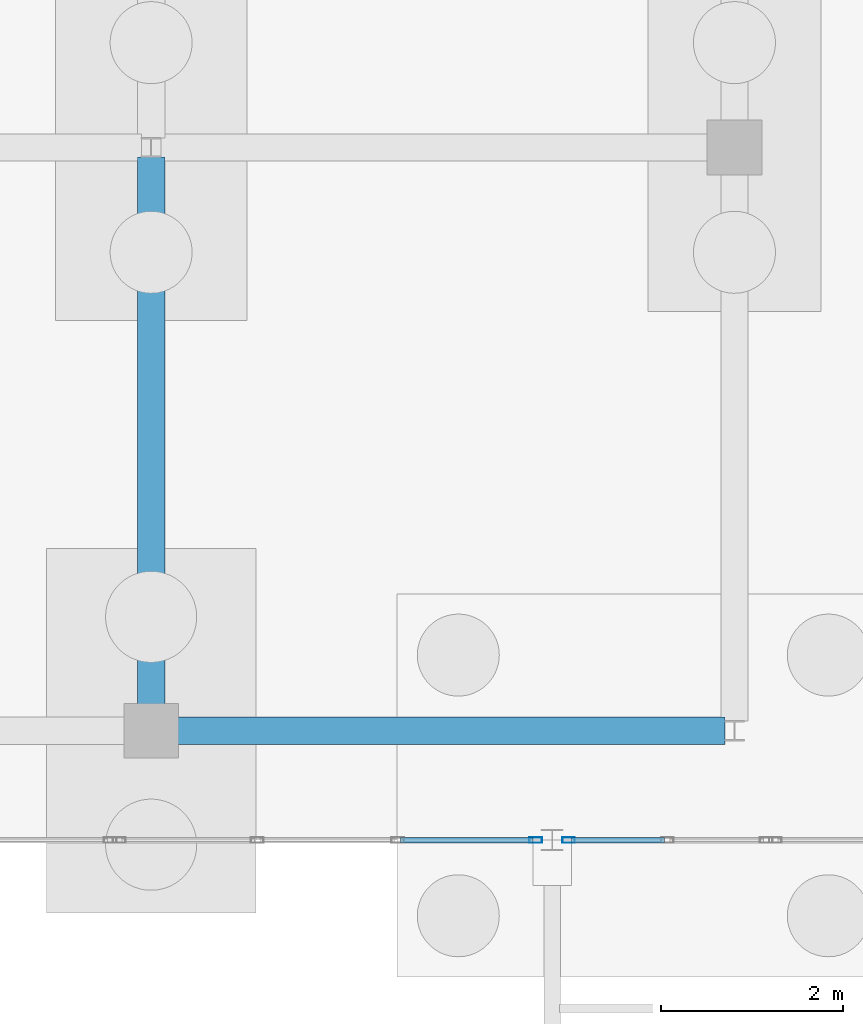
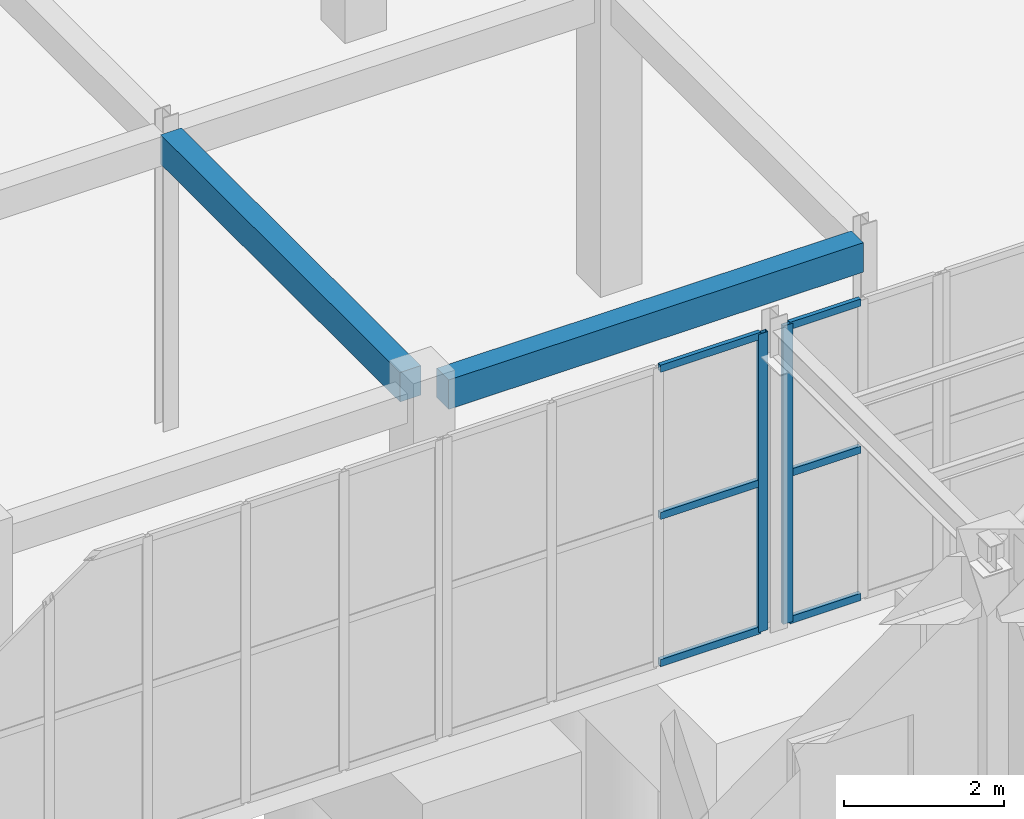
# One storey, part 51 of 192: 8 members, 2 beams, 2 elements without a shape of their own.
"""IFC4 building model written with IfcOpenShell, lengths in metres."""

import ifcopenshell
import ifcopenshell.guid

model = None  # the IFC model being written
_history = None  # IfcOwnerHistory: only IFC2X3 demands one
_inside = {}  # id of a spatial element -> (the spatial element, [elements in it])
_under = {}  # id of a project, library or spatial element -> (it, [spatial elements below it])
_declared = {}  # id of a project -> (the project, [libraries it declares])
_typed = {}  # id of a type object -> (the type object, [elements of that type])
_made_of = {}  # id of a material, layer set ... -> (it, [elements and type objects made of it])


def new_model(schema):
    """Start an empty IFC model of exactly this schema.

    Asked for "IFC4X3", IfcOpenShell would pick the latest addendum, in which some entities
    have other attributes; the version numbers below select the first issue.
    IFC2X3 requires an IfcOwnerHistory on every rooted entity: one is made here for all.
    """
    global model, _history
    if schema == "IFC4X3":
        model = ifcopenshell.file(schema_version=(4, 3, 0, 0))
    else:
        model = ifcopenshell.file(schema=schema)
    _inside.clear()
    _under.clear()
    _declared.clear()
    _typed.clear()
    _made_of.clear()
    _history = None
    if model.schema == "IFC2X3":
        org = make("IfcOrganization", Name="unknown")
        user = make(
            "IfcPersonAndOrganization",
            ThePerson=make("IfcPerson", FamilyName="unknown"),
            TheOrganization=org,
        )
        app = make(
            "IfcApplication",
            ApplicationDeveloper=org,
            Version="unknown",
            ApplicationFullName="unknown",
            ApplicationIdentifier="unknown",
        )
        _history = make(
            "IfcOwnerHistory",
            OwningUser=user,
            OwningApplication=app,
            ChangeAction="ADDED",
            CreationDate=0,
        )
    return model


def make(cls, **values):
    """One entity of the class cls with the attributes given. An attribute that is None is left unset."""
    return model.create_entity(
        cls, **{name: value for name, value in values.items() if value is not None}
    )


def rooted(cls, **values):
    """An entity with a GlobalId (a new one), such as an element, a storey or a relation."""
    return make(cls, GlobalId=ifcopenshell.guid.new(), OwnerHistory=_history, **values)


def si_unit(unit_type, name, prefix=None):
    """IfcSIUnit, for example si_unit("LENGTHUNIT", "METRE", prefix="MILLI")."""
    return make("IfcSIUnit", UnitType=unit_type, Prefix=prefix, Name=name)


def assignment(units):
    """IfcUnitAssignment: the units of a project."""
    return None if units is None else make("IfcUnitAssignment", Units=units)


def point(xyz):
    """IfcCartesianPoint."""
    return None if xyz is None else make("IfcCartesianPoint", Coordinates=xyz)


def direction(xyz):
    """IfcDirection."""
    return None if xyz is None else make("IfcDirection", DirectionRatios=xyz)


def frame(location, z_axis=None, x_axis=None):
    """IfcAxis2Placement3D, a coordinate frame: its origin and axes. An axis left out is left unset."""
    return make(
        "IfcAxis2Placement3D",
        Location=point(location),
        Axis=direction(z_axis),
        RefDirection=direction(x_axis),
    )


def frame_2d(location, x_axis=None):
    """IfcAxis2Placement2D, a coordinate frame in the plane: its origin and x axis."""
    return make(
        "IfcAxis2Placement2D", Location=point(location), RefDirection=direction(x_axis)
    )


def origin():
    """The frame at (0, 0, 0) with its axes left unset."""
    return frame((0.0, 0.0, 0.0))


def origin_2d():
    """The frame at (0, 0) in the plane with its x axis left unset."""
    return frame_2d((0.0, 0.0))


def place(relative_to, where):
    """IfcLocalPlacement: puts the frame where relative to a parent placement (None: the world)."""
    return make(
        "IfcLocalPlacement", PlacementRelTo=relative_to, RelativePlacement=where
    )


def context(
    kind, dimensions, precision=None, world=None, true_north=None, identifier=None
):
    """IfcGeometricRepresentationContext, for example the 3D "Model" context."""
    return make(
        "IfcGeometricRepresentationContext",
        ContextIdentifier=identifier,
        ContextType=kind,
        CoordinateSpaceDimension=dimensions,
        Precision=precision,
        WorldCoordinateSystem=world,
        TrueNorth=true_north,
    )


def subcontext(parent, identifier, kind, view, scale=None):
    """IfcGeometricRepresentationSubContext, for example "Body" below "Model"."""
    return make(
        "IfcGeometricRepresentationSubContext",
        ContextIdentifier=identifier,
        ContextType=kind,
        ParentContext=parent,
        TargetScale=scale,
        TargetView=view,
    )


def project(units=None, contexts=None):
    """IfcProject with its units and contexts."""
    return rooted(
        "IfcProject",
        Name="project",
        RepresentationContexts=contexts,
        UnitsInContext=assignment(units),
    )


def spatial(cls, under=None, at=None, **own):
    """A site, building, storey or space (cls), placed at a placement, below another one or the project."""
    s = rooted(cls, ObjectPlacement=at, **own)
    if under is not None:
        _under.setdefault(under.id(), (under, []))[1].append(s)
    return s


def profile(cls, at=None, kind="AREA", **sizes):
    """A parametric profile (cls). Its sizes go by their IFC names, for example OverallWidth=200.0."""
    return make(cls, ProfileType=kind, Position=at, **sizes)


def rectangle(**sizes):
    """IfcRectangleProfileDef."""
    return profile("IfcRectangleProfileDef", **sizes)


def hollow_rectangle(**sizes):
    """IfcRectangleHollowProfileDef."""
    return profile("IfcRectangleHollowProfileDef", **sizes)


def extrude(swept, where, along, depth):
    """IfcExtrudedAreaSolid: the profile swept, set in the frame where, extruded along a direction by depth."""
    return make(
        "IfcExtrudedAreaSolid",
        SweptArea=swept,
        Position=where,
        ExtrudedDirection=direction(along),
        Depth=depth,
    )


def shape(context_of_items, identifier, shape_type, items):
    """IfcShapeRepresentation: the items that make up one representation, for example the "Body"."""
    return make(
        "IfcShapeRepresentation",
        ContextOfItems=context_of_items,
        RepresentationIdentifier=identifier,
        RepresentationType=shape_type,
        Items=items,
    )


def material(Name=None, Category=None):
    """IfcMaterial."""
    return make("IfcMaterial", Name=Name, Category=Category)


def layer(
    of_material, thickness, ventilated=None, Name=None, Category=None, Priority=None
):
    """IfcMaterialLayer: one layer of a wall or slab, of a material (None: an air gap)."""
    return make(
        "IfcMaterialLayer",
        Material=of_material,
        LayerThickness=thickness,
        IsVentilated=ventilated,
        Name=Name,
        Category=Category,
        Priority=Priority,
    )


def layer_set(layers, Name=None):
    """IfcMaterialLayerSet."""
    return make("IfcMaterialLayerSet", MaterialLayers=layers, LayerSetName=Name)


def material_profile(
    of_material, cross_section, Name=None, Category=None, Priority=None
):
    """IfcMaterialProfile: a cross section and its material."""
    return make(
        "IfcMaterialProfile",
        Name=Name,
        Material=of_material,
        Profile=cross_section,
        Priority=Priority,
        Category=Category,
    )


def profile_set(profiles, Name=None, composite=None):
    """IfcMaterialProfileSet."""
    return make(
        "IfcMaterialProfileSet",
        Name=Name,
        MaterialProfiles=profiles,
        CompositeProfile=composite,
    )


def made_of(thing, what):
    """Note that an element or type object is made of a material, layer set ...; save() writes the relation."""
    if what is not None:
        _made_of.setdefault(what.id(), (what, []))[1].append(thing)
    return thing


def type_object(cls, material=None, **own):
    """A type object (cls), such as IfcWallType, which elements share."""
    return made_of(rooted(cls, **own), material)


def element(
    cls,
    number,
    at=None,
    inside=None,
    cuts=None,
    type_object=None,
    material=None,
    context=None,
    identifier="Body",
    shape_type=None,
    held_by="IfcProductDefinitionShape",
    body=None,
    shapes=None,
    **own,
):
    """One element of the class cls, such as IfcWall. Its Tag is "e" and its number.

    at: its placement. inside: the storey or other place that contains it. cuts: it is an
    opening in that element (IfcRelVoidsElement). A single representation is given by context,
    identifier, shape_type and body (its items); several are given by shapes. held_by: the class
    of the entity that holds the representations. save() writes the other relations.
    """
    e = rooted(cls, Tag="e%d" % number, ObjectPlacement=at, **own)
    if body is not None:
        shapes = [shape(context, identifier, shape_type, body)]
    if shapes is not None:
        e.Representation = make(held_by, Representations=shapes)
    if inside is not None:
        _inside.setdefault(inside.id(), (inside, []))[1].append(e)
    if cuts is not None:
        rooted(
            "IfcRelVoidsElement", RelatingBuildingElement=cuts, RelatedOpeningElement=e
        )
    if type_object is not None:
        _typed.setdefault(type_object.id(), (type_object, []))[1].append(e)
    return made_of(e, material)


def aggregate(whole, parts):
    """IfcRelAggregates: a whole, such as a stair, and the parts it consists of."""
    return rooted("IfcRelAggregates", RelatingObject=whole, RelatedObjects=parts)


def save(model, path):
    """Write the relations noted so far, then the file.

    IfcRelAggregates (storeys below a building ...), IfcRelContainedInSpatialStructure (elements
    in a storey), IfcRelDefinesByType, IfcRelAssociatesMaterial and IfcRelDeclares: one each for
    every whole, place, type object, material and project.
    """
    for whole, parts in _under.values():
        aggregate(whole, parts)
    for where, things in _inside.values():
        rooted(
            "IfcRelContainedInSpatialStructure",
            RelatedElements=things,
            RelatingStructure=where,
        )
    for kind, things in _typed.values():
        rooted("IfcRelDefinesByType", RelatedObjects=things, RelatingType=kind)
    for what, things in _made_of.values():
        rooted("IfcRelAssociatesMaterial", RelatedObjects=things, RelatingMaterial=what)
    for by, libraries in _declared.values():
        rooted("IfcRelDeclares", RelatingContext=by, RelatedDefinitions=libraries)
    model.write(path)


model = new_model("IFC4")

# Units and contexts
model_context = context("Model", 3, precision=1e-05, world=origin(), true_north=direction((0.0, 1.0)))
body_context = subcontext(model_context, "Body", "Model", "MODEL_VIEW")
ifc_project = project(units=[si_unit("LENGTHUNIT", "METRE"), si_unit("AREAUNIT", "SQUARE_METRE"), si_unit("VOLUMEUNIT", "CUBIC_METRE"), si_unit("PLANEANGLEUNIT", "RADIAN"), si_unit("MASSUNIT", "GRAM", prefix="KILO")], contexts=[model_context])

# Site, building, storey
site_placement = place(None, origin())
site = spatial("IfcSite", under=ifc_project, at=site_placement, CompositionType="ELEMENT")
building_placement = place(site_placement, origin())
building = spatial("IfcBuilding", under=site, at=building_placement, Name="Trelvath General Hospital", CompositionType="ELEMENT")
storey_placement = place(building_placement, origin())
storey = spatial("IfcBuildingStorey", under=building, at=storey_placement, Name="L00", CompositionType="ELEMENT", Elevation=0.0)

# Beams
ifc_material_1 = material(Name="Concrete C35/45", Category="concrete")
ifc_material_profile_1 = material_profile(ifc_material_1, rectangle(XDim=0.300048828125, YDim=0.449951171875, at=origin_2d()), Name="RCB300x450")
ifc_profile_set_1 = profile_set([ifc_material_profile_1], Name="Concrete C35/45")
beam_type = type_object("IfcBeamType", Name="Beam RC300x450", PredefinedType="BEAM", material=ifc_profile_set_1)
for number, where, z_axis, x_axis, name in (
    (1, (54.696044921875, 32.0, 4.3349609375), (1.0, 0.0, 0.0), (0.0, 1.0, 0.0), "Cube Interior Ring Beam CUBE-W-T0 L00"),
    (2, (54.39990234375, 32.2958984375, 4.3349609375), (0.0, 1.0, 0.0), (-1.0, 0.0, 0.0), "Cube Interior Ring Beam CUBE-W-T0 L00"),
):
    element("IfcBeam", number, at=place(storey_placement, frame(where, z_axis=z_axis, x_axis=x_axis)), inside=storey, type_object=beam_type, Name=name, PredefinedType="BEAM", context=body_context, shape_type="SweptSolid", body=[
        extrude(rectangle(XDim=0.300048828125, YDim=0.449951171875, at=origin_2d()), origin(), (0.0, 0.0, 1.0), 5.998046875),
    ])

# Curtain wall, member
ifc_material_2 = material(Name="Anodised aluminium and low-E glass", Category="aluminium")
ifc_layer_1 = layer(ifc_material_2, 0.139892578125)
ifc_layer_set_1 = layer_set([ifc_layer_1], Name="Anodised aluminium and low-E glass")
curtain_wall_type_1 = type_object("IfcCurtainWallType", Name="CW CrystalCube 463 456 14", PredefinedType="USERDEFINED", material=ifc_layer_set_1)
curtain_wall_1_placement = place(storey_placement, origin())
curtain_wall_1 = element("IfcCurtainWall", 3, at=curtain_wall_1_placement, inside=storey, type_object=curtain_wall_type_1, Name="Crystal Cube Curtain Wall CUBE-W-T0 S2 L00", ObjectType="Unitised Glazed Curtain Wall", PredefinedType="USERDEFINED")
ifc_material_3 = material(Name="Anodised aluminium", Category="aluminium")
ifc_material_profile_2 = material_profile(ifc_material_3, hollow_rectangle(XDim=0.06005859375, YDim=0.139892578125, WallThickness=0.00390625, at=origin_2d()), Name="RHS60x140x4")
ifc_profile_set_2 = profile_set([ifc_material_profile_2], Name="Anodised aluminium")
member_type_1 = type_object("IfcMemberType", Name="CurtainMullion 60x140", PredefinedType="MULLION", material=ifc_profile_set_2)
member_1_placement = place(storey_placement, frame((58.6201171875, 30.800048828125, 0.0), z_axis=(0.0, 0.0, 1.0), x_axis=(0.0, -1.0, 0.0)))
member_1 = element("IfcMember", 4, at=member_1_placement, type_object=member_type_1, Name="CW-085 mullion 1", PredefinedType="MULLION", context=body_context, shape_type="SweptSolid", body=[
    extrude(hollow_rectangle(XDim=0.06005859375, YDim=0.139892578125, WallThickness=0.00390625, at=origin_2d()), origin(), (0.0, 0.0, 1.0), 4.56005859375),
])

ifc_material_4 = material(Name="Anodised aluminium and low-E glass", Category="aluminium")
ifc_layer_2 = layer(ifc_material_4, 0.139892578125)
ifc_layer_set_2 = layer_set([ifc_layer_2], Name="Anodised aluminium and low-E glass")
curtain_wall_type_2 = type_object("IfcCurtainWallType", Name="CW CrystalCube 223 456 14", PredefinedType="USERDEFINED", material=ifc_layer_set_2)
curtain_wall_2_placement = place(storey_placement, origin())
curtain_wall_2 = element("IfcCurtainWall", 5, at=curtain_wall_2_placement, inside=storey, type_object=curtain_wall_type_2, Name="Crystal Cube Curtain Wall CUBE-W-T0 S3 L00", ObjectType="Unitised Glazed Curtain Wall", PredefinedType="USERDEFINED")
member_2_placement = place(storey_placement, frame((58.97998046875, 30.800048828125, 0.0), z_axis=(0.0, 0.0, 1.0), x_axis=(0.0, -1.0, 0.0)))
member_2 = element("IfcMember", 6, at=member_2_placement, type_object=member_type_1, Name="CW-086 mullion 3", PredefinedType="MULLION", context=body_context, shape_type="SweptSolid", body=[
    extrude(hollow_rectangle(XDim=0.06005859375, YDim=0.139892578125, WallThickness=0.00390625, at=origin_2d()), origin(), (0.0, 0.0, 1.0), 4.56005859375),
])

# Member
ifc_material_5 = material(Name="Anodised aluminium", Category="aluminium")
ifc_material_profile_3 = material_profile(ifc_material_5, hollow_rectangle(XDim=0.06005859375, YDim=0.110107421875, WallThickness=0.00390625, at=origin_2d()), Name="RHS60x110x4")
ifc_profile_set_3 = profile_set([ifc_material_profile_3], Name="Anodised aluminium")
member_type_2 = type_object("IfcMemberType", Name="CurtainTransom 60x110", PredefinedType="USERDEFINED", material=ifc_profile_set_3)
member_3_placement = place(storey_placement, frame((58.590087890625, 30.800048828125, 0.030029296875), z_axis=(-1.0, 0.0, 0.0), x_axis=(0.0, -1.0, 0.0)))
member_3 = element("IfcMember", 7, at=member_3_placement, type_object=member_type_2, Name="CW-085 transom 1.1", ObjectType="TRANSOM", PredefinedType="USERDEFINED", context=body_context, shape_type="SweptSolid", body=[
    extrude(hollow_rectangle(XDim=0.06005859375, YDim=0.110107421875, WallThickness=0.00390625, at=origin_2d()), origin(), (0.0, 0.0, 1.0), 1.453369140625),
])

member_4_placement = place(storey_placement, frame((58.590087890625, 30.800048828125, 2.280029296875), z_axis=(-1.0, 0.0, 0.0), x_axis=(0.0, -1.0, 0.0)))
member_4 = element("IfcMember", 8, at=member_4_placement, type_object=member_type_2, Name="CW-085 transom 1.2", ObjectType="TRANSOM", PredefinedType="USERDEFINED", context=body_context, shape_type="SweptSolid", body=[
    extrude(hollow_rectangle(XDim=0.06005859375, YDim=0.110107421875, WallThickness=0.00390625, at=origin_2d()), origin(), (0.0, 0.0, 1.0), 1.453369140625),
])

member_5_placement = place(storey_placement, frame((58.590087890625, 30.800048828125, 4.530029296875), z_axis=(-1.0, 0.0, 0.0), x_axis=(0.0, -1.0, 0.0)))
member_5 = element("IfcMember", 9, at=member_5_placement, type_object=member_type_2, Name="CW-085 transom 1.3", ObjectType="TRANSOM", PredefinedType="USERDEFINED", context=body_context, shape_type="SweptSolid", body=[
    extrude(hollow_rectangle(XDim=0.06005859375, YDim=0.110107421875, WallThickness=0.00390625, at=origin_2d()), origin(), (0.0, 0.0, 1.0), 1.453369140625),
])

aggregate(curtain_wall_1, [member_1, member_3, member_4, member_5])

member_6_placement = place(storey_placement, frame((60.034912109375, 30.800048828125, 0.030029296875), z_axis=(-1.0, 0.0, 0.0), x_axis=(0.0, -1.0, 0.0)))
member_6 = element("IfcMember", 10, at=member_6_placement, type_object=member_type_2, Name="CW-086 transom 2.1", ObjectType="TRANSOM", PredefinedType="USERDEFINED", context=body_context, shape_type="SweptSolid", body=[
    extrude(hollow_rectangle(XDim=0.06005859375, YDim=0.110107421875, WallThickness=0.00390625, at=origin_2d()), origin(), (0.0, 0.0, 1.0), 1.02490234375),
])

member_7_placement = place(storey_placement, frame((60.034912109375, 30.800048828125, 2.280029296875), z_axis=(-1.0, 0.0, 0.0), x_axis=(0.0, -1.0, 0.0)))
member_7 = element("IfcMember", 11, at=member_7_placement, type_object=member_type_2, Name="CW-086 transom 2.2", ObjectType="TRANSOM", PredefinedType="USERDEFINED", context=body_context, shape_type="SweptSolid", body=[
    extrude(hollow_rectangle(XDim=0.06005859375, YDim=0.110107421875, WallThickness=0.00390625, at=origin_2d()), origin(), (0.0, 0.0, 1.0), 1.02490234375),
])

member_8_placement = place(storey_placement, frame((60.034912109375, 30.800048828125, 4.530029296875), z_axis=(-1.0, 0.0, 0.0), x_axis=(0.0, -1.0, 0.0)))
member_8 = element("IfcMember", 12, at=member_8_placement, type_object=member_type_2, Name="CW-086 transom 2.3", ObjectType="TRANSOM", PredefinedType="USERDEFINED", context=body_context, shape_type="SweptSolid", body=[
    extrude(hollow_rectangle(XDim=0.06005859375, YDim=0.110107421875, WallThickness=0.00390625, at=origin_2d()), origin(), (0.0, 0.0, 1.0), 1.02490234375),
])

aggregate(curtain_wall_2, [member_2, member_6, member_7, member_8])

save(model, "model.ifc")
